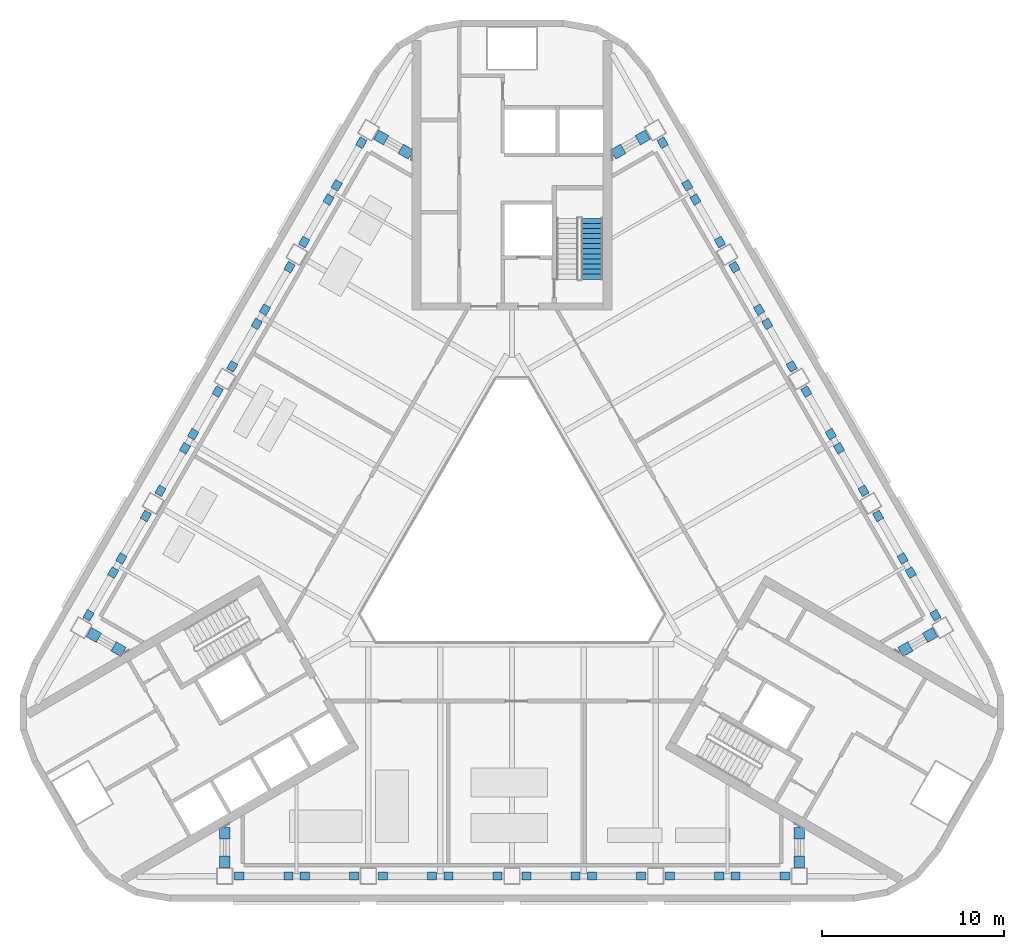
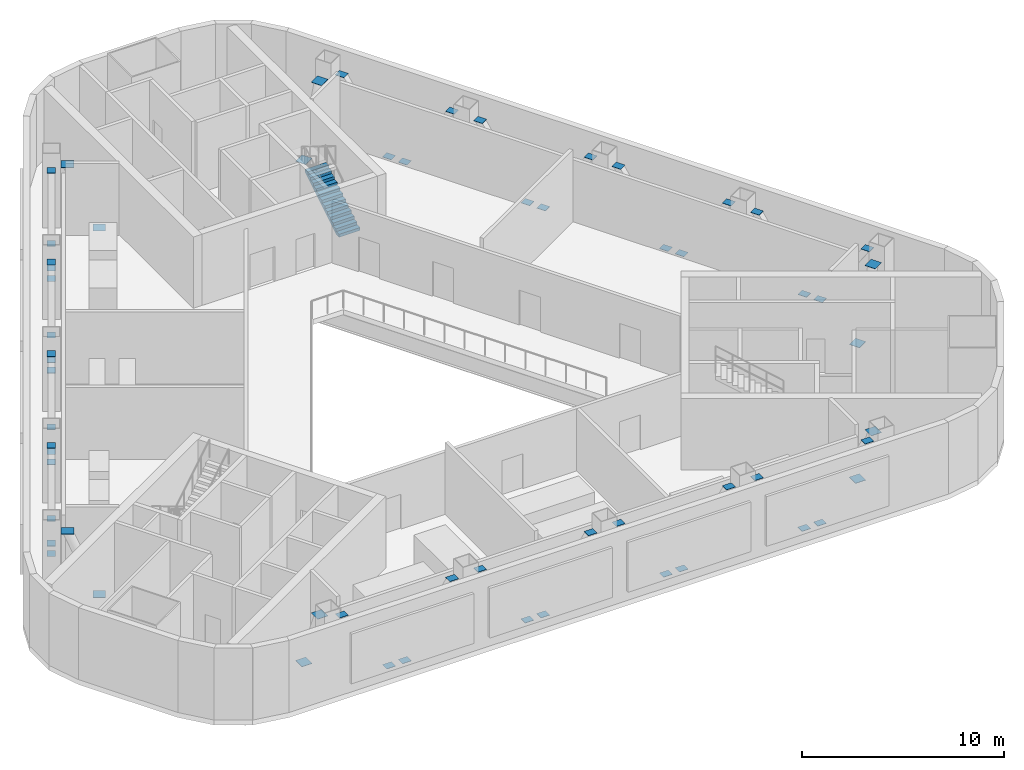
# One storey, part 9 of 14: 60 discrete accessories, 1 stair flight, 1 element without a shape of its own.
"""IFC4 building model written with IfcOpenShell, lengths in metres."""

from ifc_helpers import new_model, si_unit, direction, frame, origin, origin_2d, place, context, subcontext, project, spatial, polyline, rectangle, outline, extrude, material, layer, layer_set, type_object, element, aggregate, save


model = new_model("IFC4")

# Units and contexts
model_context = context("Model", 3, precision=1e-05, world=origin(), true_north=direction((0.0, 1.0)))
body_context = subcontext(model_context, "Body", "Model", "MODEL_VIEW")
ifc_project = project(units=[si_unit("LENGTHUNIT", "METRE"), si_unit("AREAUNIT", "SQUARE_METRE"), si_unit("VOLUMEUNIT", "CUBIC_METRE"), si_unit("PLANEANGLEUNIT", "RADIAN"), si_unit("MASSUNIT", "GRAM", prefix="KILO")], contexts=[model_context])

# Site, building, storey
site_placement = place(None, origin())
site = spatial("IfcSite", under=ifc_project, at=site_placement, CompositionType="ELEMENT")
building_placement = place(site_placement, origin())
building = spatial("IfcBuilding", under=site, at=building_placement, Name="Apuvela Tower Hotel", CompositionType="ELEMENT")
storey_placement = place(building_placement, frame((0.0, 0.0, 142.10009765625)))
storey = spatial("IfcBuildingStorey", under=building, at=storey_placement, Name="L33 Plant", CompositionType="ELEMENT", Elevation=142.10009765625)

# Stair, stair flight
ifc_material_1 = material(Name="Concrete C50/60", Category="concrete")
stair_type = type_object("IfcStairType", Name="COR-STAIR-26R", PredefinedType="HALF_TURN_STAIR", material=ifc_material_1)
stair_placement = place(storey_placement, origin())
stair = element("IfcStair", 1, at=stair_placement, inside=storey, type_object=stair_type, Name="L33 Plant Exit stair ST1", PredefinedType="HALF_TURN_STAIR")
stair_flight_type = type_object("IfcStairFlightType", Name="COR-FLIGHT-13R", PredefinedType="STRAIGHT", material=ifc_material_1)
stair_flight_placement = place(storey_placement, frame((4.39990234375, 14.60009765625, 0.0), z_axis=(0.0, 0.0, 1.0), x_axis=(0.0, 1.0, 0.0)))
stair_flight = element("IfcStairFlight", 2, at=stair_flight_placement, type_object=stair_flight_type, Name="ST1 flight 1", NumberOfRisers=13, NumberOfTreads=12, PredefinedType="STRAIGHT", RiserHeight=0.173076923, TreadLength=0.28, context=body_context, shape_type="SweptSolid", body=[
    extrude(outline(polyline([(0.0, 0.0), (0.0, 0.173095703125), (0.280029296875, 0.173095703125), (0.280029296875, 0.34619140625), (0.56005859375, 0.34619140625), (0.56005859375, 0.519287109375), (0.840087890625, 0.519287109375), (0.840087890625, 0.6923828125), (1.1201171875, 0.6923828125), (1.1201171875, 0.865478515625), (1.39990234375, 0.865478515625), (1.39990234375, 1.03857421875), (1.679931640625, 1.03857421875), (1.679931640625, 1.21142578125), (1.9599609375, 1.21142578125), (1.9599609375, 1.384521484375), (2.239990234375, 1.384521484375), (2.239990234375, 1.5576171875), (2.52001953125, 1.5576171875), (2.52001953125, 1.730712890625), (2.800048828125, 1.730712890625), (2.800048828125, 1.90380859375), (3.080078125, 1.90380859375), (3.080078125, 2.076904296875), (3.360107421875, 2.076904296875), (3.360107421875, 2.25), (3.360107421875, 1.900634765625), (0.28515625, 0.0), (0.0, 0.0)])), frame((0.0, 0.60009765625, 0.0), z_axis=(0.0, -1.0, 0.0), x_axis=(1.0, 0.0, 0.0)), (0.0, 0.0, 1.0), 1.199951171875),
])
aggregate(stair, [stair_flight])

# Discrete accessories
ifc_material_2 = material(Name="Steel S355", Category="steel")
ifc_layer = layer(ifc_material_2, 0.02001953125)
ifc_layer_set = layer_set([ifc_layer], Name="STR-EP end plate 20")
discrete_accessory_type = type_object("IfcDiscreteAccessoryType", Name="STR-EP end plate 20", PredefinedType="BRACKET", material=ifc_layer_set)
for number, where, z_axis, x_axis, name in (
    (3, (-12.300048828125, -18.22998046875, -0.300048828125), (0.0, 0.0, 1.0), (-1.0, 0.0, 0.0), "End plate EP BR2 S1"),
    (4, (-15.0, -18.22998046875, 3.7099609375), (0.0, 0.0, 1.0), (-1.0, 0.0, 0.0), "End plate EP BR2 S1"),
    (5, (-11.39990234375, -18.22998046875, -0.300048828125), (0.0, 0.0, 1.0), (1.0, 0.0, 0.0), "End plate EP BR2 S1"),
    (6, (-8.699951171875, -18.22998046875, 3.7099609375), (0.0, 0.0, 1.0), (1.0, 0.0, 0.0), "End plate EP BR2 S1"),
    (7, (-4.39990234375, -18.22998046875, -0.300048828125), (0.0, 0.0, 1.0), (-1.0, 0.0, 0.0), "End plate EP BR2 S2"),
    (8, (-7.10009765625, -18.22998046875, 3.7099609375), (0.0, 0.0, 1.0), (-1.0, 0.0, 0.0), "End plate EP BR2 S2"),
    (9, (-3.5, -18.22998046875, -0.300048828125), (0.0, 0.0, 1.0), (1.0, 0.0, 0.0), "End plate EP BR2 S2"),
    (10, (-0.800048828125, -18.22998046875, 3.7099609375), (0.0, 0.0, 1.0), (1.0, 0.0, 0.0), "End plate EP BR2 S2"),
    (11, (3.5, -18.22998046875, -0.300048828125), (0.0, 0.0, 1.0), (-1.0, 0.0, 0.0), "End plate EP BR2 S3"),
    (12, (0.800048828125, -18.22998046875, 3.7099609375), (0.0, 0.0, 1.0), (-1.0, 0.0, 0.0), "End plate EP BR2 S3"),
    (13, (4.39990234375, -18.22998046875, -0.300048828125), (0.0, 0.0, 1.0), (1.0, 0.0, 0.0), "End plate EP BR2 S3"),
    (14, (7.10009765625, -18.22998046875, 3.7099609375), (0.0, 0.0, 1.0), (1.0, 0.0, 0.0), "End plate EP BR2 S3"),
    (15, (11.39990234375, -18.22998046875, -0.300048828125), (0.0, 0.0, 1.0), (-1.0, 0.0, 0.0), "End plate EP BR2 S4"),
    (16, (8.699951171875, -18.22998046875, 3.7099609375), (0.0, 0.0, 1.0), (-1.0, 0.0, 0.0), "End plate EP BR2 S4"),
    (17, (12.300048828125, -18.22998046875, -0.300048828125), (0.0, 0.0, 1.0), (1.0, 0.0, 0.0), "End plate EP BR2 S4"),
    (18, (15.0, -18.22998046875, 3.7099609375), (0.0, 0.0, 1.0), (1.0, 0.0, 0.0), "End plate EP BR2 S4"),
    (19, (21.9375, -1.537109375, -0.300048828125), (0.0, 0.0, 1.0), (0.5, -0.866025403784, 0.0), "End plate EP BR2 NE1"),
    (20, (23.28759765625, -3.87548828125, 3.7099609375), (0.0, 0.0, 1.0), (0.5, -0.866025403784, 0.0), "End plate EP BR2 NE1"),
    (21, (21.487548828125, -0.7578125, -0.300048828125), (0.0, 0.0, 1.0), (-0.5, 0.866025403784, 0.0), "End plate EP BR2 NE1"),
    (22, (20.1376953125, 1.58056640625, 3.7099609375), (0.0, 0.0, 1.0), (-0.5, 0.866025403784, 0.0), "End plate EP BR2 NE1"),
    (23, (17.987548828125, 5.304443359375, -0.300048828125), (0.0, 0.0, 1.0), (0.5, -0.866025403784, 0.0), "End plate EP BR2 NE2"),
    (24, (19.337646484375, 2.96630859375, 3.7099609375), (0.0, 0.0, 1.0), (0.5, -0.866025403784, 0.0), "End plate EP BR2 NE2"),
    (25, (17.53759765625, 6.083984375, -0.300048828125), (0.0, 0.0, 1.0), (-0.5, 0.866025403784, 0.0), "End plate EP BR2 NE2"),
    (26, (16.1875, 8.422119140625, 3.7099609375), (0.0, 0.0, 1.0), (-0.5, 0.866025403784, 0.0), "End plate EP BR2 NE2"),
    (27, (14.03759765625, 12.14599609375, -0.300048828125), (0.0, 0.0, 1.0), (0.5, -0.866025403784, 0.0), "End plate EP BR2 NE3"),
    (28, (15.3876953125, 9.807861328125, 3.7099609375), (0.0, 0.0, 1.0), (0.5, -0.866025403784, 0.0), "End plate EP BR2 NE3"),
    (29, (13.587646484375, 12.925537109375, -0.300048828125), (0.0, 0.0, 1.0), (-0.5, 0.866025403784, 0.0), "End plate EP BR2 NE3"),
    (30, (12.237548828125, 15.263916015625, 3.7099609375), (0.0, 0.0, 1.0), (-0.5, 0.866025403784, 0.0), "End plate EP BR2 NE3"),
    (31, (10.087646484375, 18.98779296875, -0.300048828125), (0.0, 0.0, 1.0), (0.5, -0.866025403784, 0.0), "End plate EP BR2 NE4"),
    (32, (11.4375, 16.6494140625, 3.7099609375), (0.0, 0.0, 1.0), (0.5, -0.866025403784, 0.0), "End plate EP BR2 NE4"),
    (33, (9.6376953125, 19.76708984375, -0.300048828125), (0.0, 0.0, 1.0), (-0.5, 0.866025403784, 0.0), "End plate EP BR2 NE4"),
    (34, (8.28759765625, 22.10546875, 3.7099609375), (0.0, 0.0, 1.0), (-0.5, 0.866025403784, 0.0), "End plate EP BR2 NE4"),
    (35, (-9.6376953125, 19.76708984375, -0.300048828125), (0.0, 0.0, 1.0), (0.5, 0.866025403784, 0.0), "End plate EP BR2 NW1"),
    (36, (-8.28759765625, 22.10546875, 3.7099609375), (0.0, 0.0, 1.0), (0.5, 0.866025403784, 0.0), "End plate EP BR2 NW1"),
    (37, (-10.087646484375, 18.98779296875, -0.300048828125), (0.0, 0.0, 1.0), (-0.5, -0.866025403784, 0.0), "End plate EP BR2 NW1"),
    (38, (-11.4375, 16.6494140625, 3.7099609375), (0.0, 0.0, 1.0), (-0.5, -0.866025403784, 0.0), "End plate EP BR2 NW1"),
    (39, (-13.587646484375, 12.925537109375, -0.300048828125), (0.0, 0.0, 1.0), (0.5, 0.866025403784, 0.0), "End plate EP BR2 NW2"),
    (40, (-12.237548828125, 15.263916015625, 3.7099609375), (0.0, 0.0, 1.0), (0.5, 0.866025403784, 0.0), "End plate EP BR2 NW2"),
    (41, (-14.03759765625, 12.14599609375, -0.300048828125), (0.0, 0.0, 1.0), (-0.5, -0.866025403784, 0.0), "End plate EP BR2 NW2"),
    (42, (-15.3876953125, 9.807861328125, 3.7099609375), (0.0, 0.0, 1.0), (-0.5, -0.866025403784, 0.0), "End plate EP BR2 NW2"),
    (43, (-17.53759765625, 6.083984375, -0.300048828125), (0.0, 0.0, 1.0), (0.5, 0.866025403784, 0.0), "End plate EP BR2 NW3"),
    (44, (-16.1875, 8.422119140625, 3.7099609375), (0.0, 0.0, 1.0), (0.5, 0.866025403784, 0.0), "End plate EP BR2 NW3"),
    (45, (-17.987548828125, 5.304443359375, -0.300048828125), (0.0, 0.0, 1.0), (-0.5, -0.866025403784, 0.0), "End plate EP BR2 NW3"),
    (46, (-19.337646484375, 2.96630859375, 3.7099609375), (0.0, 0.0, 1.0), (-0.5, -0.866025403784, 0.0), "End plate EP BR2 NW3"),
    (47, (-21.487548828125, -0.7578125, -0.300048828125), (0.0, 0.0, 1.0), (0.5, 0.866025403784, 0.0), "End plate EP BR2 NW4"),
    (48, (-20.1376953125, 1.58056640625, 3.7099609375), (0.0, 0.0, 1.0), (0.5, 0.866025403784, 0.0), "End plate EP BR2 NW4"),
    (49, (-21.9375, -1.537109375, -0.300048828125), (0.0, 0.0, 1.0), (-0.5, -0.866025403784, 0.0), "End plate EP BR2 NW4"),
    (50, (-23.28759765625, -3.87548828125, 3.7099609375), (0.0, 0.0, 1.0), (-0.5, -0.866025403784, 0.0), "End plate EP BR2 NW4"),
):
    element("IfcDiscreteAccessory", number, at=place(storey_placement, frame(where, z_axis=z_axis, x_axis=x_axis)), inside=storey, type_object=discrete_accessory_type, Name=name, PredefinedType="BRACKET", context=body_context, shape_type="SweptSolid", body=[
        extrude(rectangle(XDim=0.501220703125, YDim=0.429931640625, at=origin_2d()), origin(), (0.0, 0.0, 1.0), 0.02001953125),
    ])
for number, where, z_axis, x_axis, name in (
    (51, (21.64306640625, -5.74853515625, -0.300048828125), (0.0, 0.0, 1.0), (0.866025403784, 0.5, 0.0), "End plate EP OD2 NE1"),
    (52, (22.994873046875, -4.96826171875, 3.515869140625), (0.0, 0.0, 1.0), (0.866025403784, 0.5, 0.0), "End plate EP OD2 NE1"),
    (53, (5.843017578125, 21.617919921875, -0.300048828125), (0.0, 0.0, 1.0), (0.866025403784, 0.5, 0.0), "End plate EP OD2 NE5"),
    (54, (7.19482421875, 22.398193359375, 3.515869140625), (0.0, 0.0, 1.0), (0.866025403784, 0.5, 0.0), "End plate EP OD2 NE5"),
    (55, (-5.843017578125, 21.617919921875, -0.300048828125), (0.0, 0.0, 1.0), (-0.866025403784, 0.5, 0.0), "End plate EP OD2 NW1"),
    (56, (-7.19482421875, 22.398193359375, 3.515869140625), (0.0, 0.0, 1.0), (-0.866025403784, 0.5, 0.0), "End plate EP OD2 NW1"),
    (57, (-21.64306640625, -5.74853515625, -0.300048828125), (0.0, 0.0, 1.0), (-0.866025403784, 0.5, 0.0), "End plate EP OD2 NW5"),
    (58, (-22.994873046875, -4.96826171875, 3.515869140625), (0.0, 0.0, 1.0), (-0.866025403784, 0.5, 0.0), "End plate EP OD2 NW5"),
    (59, (-15.800048828125, -15.869140625, -0.300048828125), (0.0, 0.0, 1.0), (0.0, -1.0, 0.0), "End plate EP OD2 S1"),
    (60, (-15.800048828125, -17.429931640625, 3.515869140625), (0.0, 0.0, 1.0), (0.0, -1.0, 0.0), "End plate EP OD2 S1"),
    (61, (15.800048828125, -15.869140625, -0.300048828125), (0.0, 0.0, 1.0), (0.0, -1.0, 0.0), "End plate EP OD2 S5"),
    (62, (15.800048828125, -17.429931640625, 3.515869140625), (0.0, 0.0, 1.0), (0.0, -1.0, 0.0), "End plate EP OD2 S5"),
):
    element("IfcDiscreteAccessory", number, at=place(storey_placement, frame(where, z_axis=z_axis, x_axis=x_axis)), inside=storey, type_object=discrete_accessory_type, Name=name, PredefinedType="BRACKET", context=body_context, shape_type="SweptSolid", body=[
        extrude(rectangle(XDim=0.62841796875, YDim=0.587890625, at=origin_2d()), origin(), (0.0, 0.0, 1.0), 0.02001953125),
    ])

save(model, "model.ifc")
